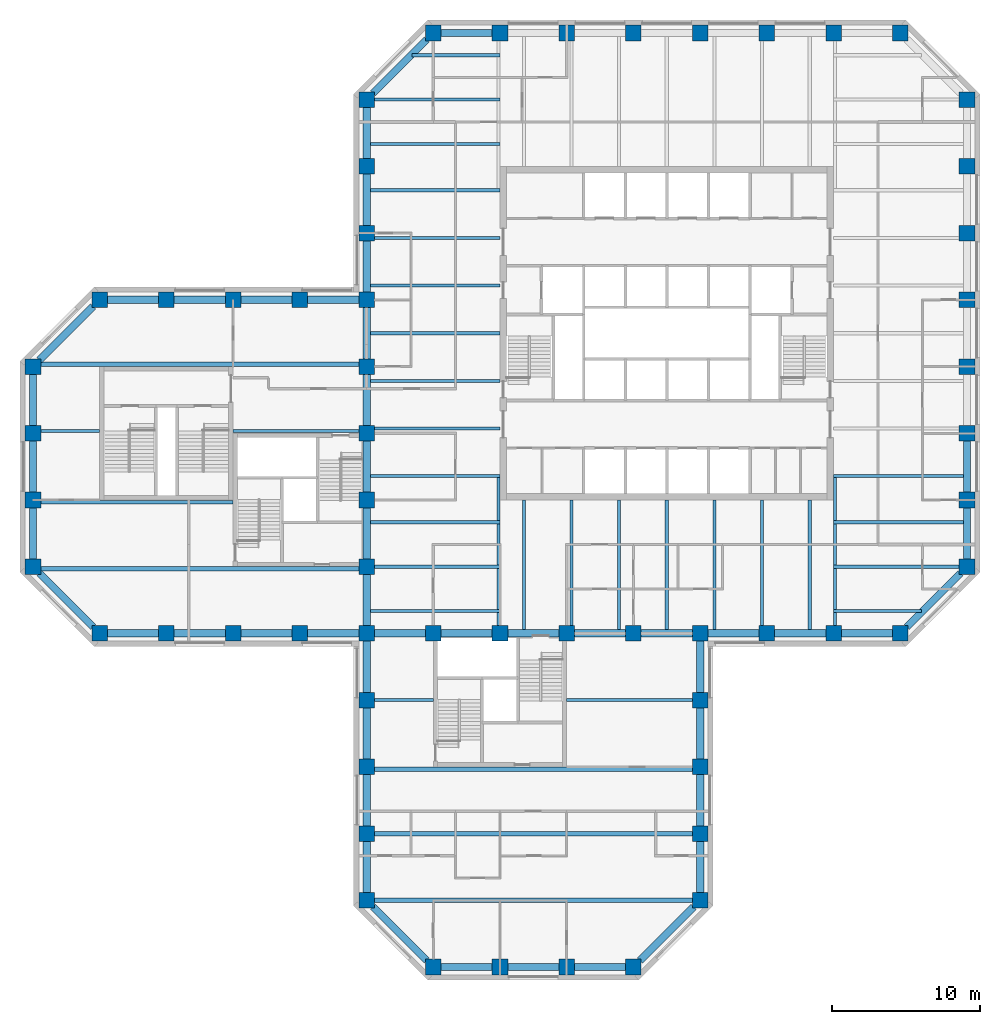
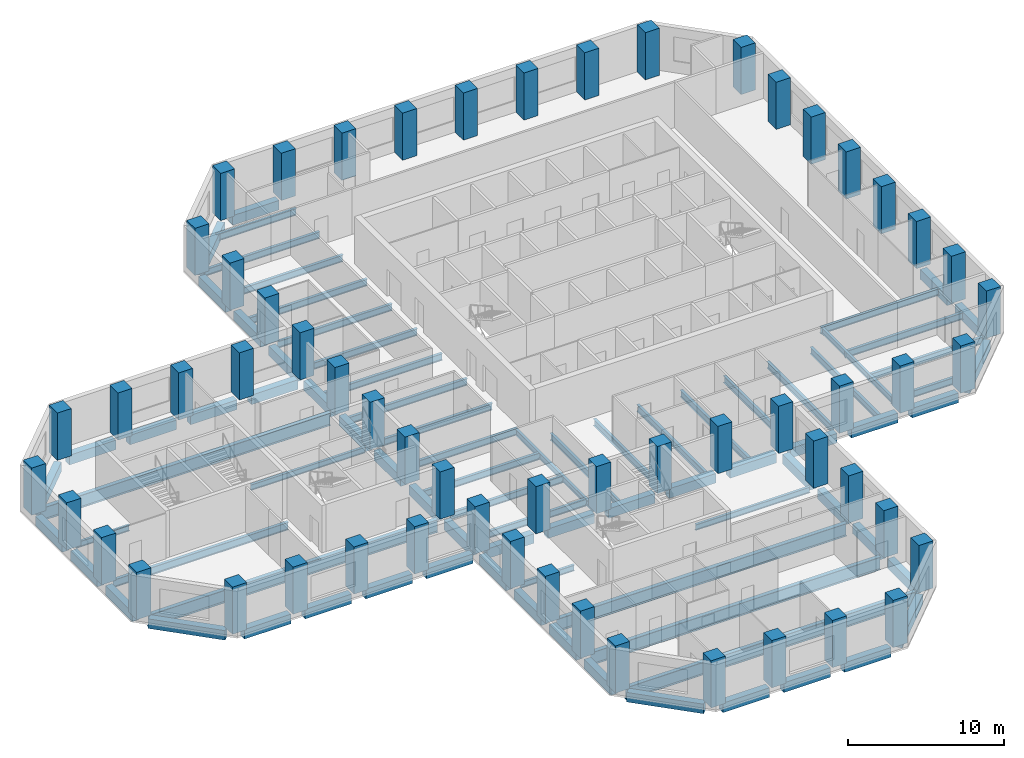
# One storey, part 1 of 10: 83 beams, 57 columns.
"""IFC4 building model written with IfcOpenShell, lengths in metres."""

from ifc_helpers import new_model, si_unit, direction, frame, origin, origin_2d, place, context, subcontext, project, spatial, rectangle, i_section, extrude, material, material_profile, profile_set, type_object, element, save


model = new_model("IFC4")

# Units and contexts
model_context = context("Model", 3, precision=1e-05, world=origin(), true_north=direction((0.0, 1.0)))
body_context = subcontext(model_context, "Body", "Model", "MODEL_VIEW")
ifc_project = project(units=[si_unit("LENGTHUNIT", "METRE"), si_unit("AREAUNIT", "SQUARE_METRE"), si_unit("VOLUMEUNIT", "CUBIC_METRE"), si_unit("PLANEANGLEUNIT", "RADIAN"), si_unit("MASSUNIT", "GRAM", prefix="KILO")], contexts=[model_context])

# Site, building, storey
site_placement = place(None, origin())
site = spatial("IfcSite", under=ifc_project, at=site_placement, CompositionType="ELEMENT")
building_placement = place(site_placement, origin())
building = spatial("IfcBuilding", under=site, at=building_placement, Name="Quoin Convention Tower", CompositionType="ELEMENT")
storey_placement = place(building_placement, frame((0.0, 0.0, 86.300048828125)))
storey = spatial("IfcBuildingStorey", under=building, at=storey_placement, Name="L22", CompositionType="ELEMENT", Elevation=86.300048828125)

# Columns
ifc_material_1 = material(Name="Concrete C65", Category="concrete")
ifc_material_profile_1 = material_profile(ifc_material_1, rectangle(XDim=1.050048828125, YDim=1.050048828125, at=origin_2d()), Name="RC 1050x1050")
ifc_profile_set_1 = profile_set([ifc_material_profile_1], Name="Concrete C65")
column_type = type_object("IfcColumnType", Name="RC 1050x1050 C65", PredefinedType="COLUMN", material=ifc_profile_set_1)
for number, where, z_axis, x_axis, name in (
    (1, (40.5, 18.0, 0.0), (0.0, 0.0, 1.0), (1.0, 0.0, 0.0), "col-L22-40500_18000"),
    (2, (45.0, 18.0, 0.0), (0.0, 0.0, 1.0), (1.0, 0.0, 0.0), "col-L22-45000_18000"),
    (3, (49.5, 18.0, 0.0), (0.0, 0.0, 1.0), (1.0, 0.0, 0.0), "col-L22-49500_18000"),
    (4, (54.0, 18.0, 0.0), (0.0, 0.0, 1.0), (1.0, 0.0, 0.0), "col-L22-54000_18000"),
    (5, (36.0, 22.5, 0.0), (0.0, 0.0, 1.0), (1.0, 0.0, 0.0), "col-L22-36000_22500"),
    (6, (58.5, 22.5, 0.0), (0.0, 0.0, 1.0), (1.0, 0.0, 0.0), "col-L22-58500_22500"),
    (7, (36.0, 27.0, 0.0), (0.0, 0.0, 1.0), (1.0, 0.0, 0.0), "col-L22-36000_27000"),
    (8, (58.5, 27.0, 0.0), (0.0, 0.0, 1.0), (1.0, 0.0, 0.0), "col-L22-58500_27000"),
    (9, (36.0, 31.5, 0.0), (0.0, 0.0, 1.0), (1.0, 0.0, 0.0), "col-L22-36000_31500"),
    (10, (58.5, 31.5, 0.0), (0.0, 0.0, 1.0), (1.0, 0.0, 0.0), "col-L22-58500_31500"),
    (11, (36.0, 36.0, 0.0), (0.0, 0.0, 1.0), (1.0, 0.0, 0.0), "col-L22-36000_36000"),
    (12, (58.5, 36.0, 0.0), (0.0, 0.0, 1.0), (1.0, 0.0, 0.0), "col-L22-58500_36000"),
    (13, (18.0, 40.5, 0.0), (0.0, 0.0, 1.0), (1.0, 0.0, 0.0), "col-L22-18000_40500"),
    (14, (22.5, 40.5, 0.0), (0.0, 0.0, 1.0), (1.0, 0.0, 0.0), "col-L22-22500_40500"),
    (15, (27.0, 40.5, 0.0), (0.0, 0.0, 1.0), (1.0, 0.0, 0.0), "col-L22-27000_40500"),
    (16, (31.5, 40.5, 0.0), (0.0, 0.0, 1.0), (1.0, 0.0, 0.0), "col-L22-31500_40500"),
    (17, (36.0, 40.5, 0.0), (0.0, 0.0, 1.0), (1.0, 0.0, 0.0), "col-L22-36000_40500"),
    (18, (40.5, 40.5, 0.0), (0.0, 0.0, 1.0), (1.0, 0.0, 0.0), "web-L22-40500_40500"),
    (19, (45.0, 40.5, 0.0), (0.0, 0.0, 1.0), (1.0, 0.0, 0.0), "web-L22-45000_40500"),
    (20, (49.5, 40.5, 0.0), (0.0, 0.0, 1.0), (1.0, 0.0, 0.0), "web-L22-49500_40500"),
    (21, (54.0, 40.5, 0.0), (0.0, 0.0, 1.0), (1.0, 0.0, 0.0), "web-L22-54000_40500"),
    (22, (58.5, 40.5, 0.0), (0.0, 0.0, 1.0), (1.0, 0.0, 0.0), "col-L22-58500_40500"),
    (23, (63.0, 40.5, 0.0), (0.0, 0.0, 1.0), (1.0, 0.0, 0.0), "col-L22-63000_40500"),
    (24, (67.5, 40.5, 0.0), (0.0, 0.0, 1.0), (1.0, 0.0, 0.0), "col-L22-67500_40500"),
    (25, (72.0, 40.5, 0.0), (0.0, 0.0, 1.0), (1.0, 0.0, 0.0), "col-L22-72000_40500"),
    (26, (13.5, 45.0, 0.0), (0.0, 0.0, 1.0), (1.0, 0.0, 0.0), "col-L22-13500_45000"),
    (27, (36.0, 45.0, 0.0), (0.0, 0.0, 1.0), (1.0, 0.0, 0.0), "web-L22-36000_45000"),
    (28, (76.5, 45.0, 0.0), (0.0, 0.0, 1.0), (1.0, 0.0, 0.0), "col-L22-76500_45000"),
    (29, (13.5, 49.5, 0.0), (0.0, 0.0, 1.0), (1.0, 0.0, 0.0), "col-L22-13500_49500"),
    (30, (36.0, 49.5, 0.0), (0.0, 0.0, 1.0), (1.0, 0.0, 0.0), "web-L22-36000_49500"),
    (31, (76.5, 49.5, 0.0), (0.0, 0.0, 1.0), (1.0, 0.0, 0.0), "col-L22-76500_49500"),
    (32, (13.5, 54.0, 0.0), (0.0, 0.0, 1.0), (1.0, 0.0, 0.0), "col-L22-13500_54000"),
    (33, (36.0, 54.0, 0.0), (0.0, 0.0, 1.0), (1.0, 0.0, 0.0), "web-L22-36000_54000"),
    (34, (76.5, 54.0, 0.0), (0.0, 0.0, 1.0), (1.0, 0.0, 0.0), "col-L22-76500_54000"),
    (35, (13.5, 58.5, 0.0), (0.0, 0.0, 1.0), (1.0, 0.0, 0.0), "col-L22-13500_58500"),
    (36, (36.0, 58.5, 0.0), (0.0, 0.0, 1.0), (1.0, 0.0, 0.0), "web-L22-36000_58500"),
    (37, (76.5, 58.5, 0.0), (0.0, 0.0, 1.0), (1.0, 0.0, 0.0), "col-L22-76500_58500"),
    (38, (18.0, 63.0, 0.0), (0.0, 0.0, 1.0), (1.0, 0.0, 0.0), "col-L22-18000_63000"),
    (39, (22.5, 63.0, 0.0), (0.0, 0.0, 1.0), (1.0, 0.0, 0.0), "col-L22-22500_63000"),
    (40, (27.0, 63.0, 0.0), (0.0, 0.0, 1.0), (1.0, 0.0, 0.0), "col-L22-27000_63000"),
    (41, (31.5, 63.0, 0.0), (0.0, 0.0, 1.0), (1.0, 0.0, 0.0), "col-L22-31500_63000"),
    (42, (36.0, 63.0, 0.0), (0.0, 0.0, 1.0), (1.0, 0.0, 0.0), "col-L22-36000_63000"),
    (43, (76.5, 63.0, 0.0), (0.0, 0.0, 1.0), (1.0, 0.0, 0.0), "col-L22-76500_63000"),
    (44, (36.0, 67.5, 0.0), (0.0, 0.0, 1.0), (1.0, 0.0, 0.0), "col-L22-36000_67500"),
    (45, (76.5, 67.5, 0.0), (0.0, 0.0, 1.0), (1.0, 0.0, 0.0), "col-L22-76500_67500"),
    (46, (36.0, 72.0, 0.0), (0.0, 0.0, 1.0), (1.0, 0.0, 0.0), "col-L22-36000_72000"),
    (47, (76.5, 72.0, 0.0), (0.0, 0.0, 1.0), (1.0, 0.0, 0.0), "col-L22-76500_72000"),
    (48, (36.0, 76.5, 0.0), (0.0, 0.0, 1.0), (1.0, 0.0, 0.0), "col-L22-36000_76500"),
    (49, (76.5, 76.5, 0.0), (0.0, 0.0, 1.0), (1.0, 0.0, 0.0), "col-L22-76500_76500"),
    (50, (40.5, 81.0, 0.0), (0.0, 0.0, 1.0), (1.0, 0.0, 0.0), "col-L22-40500_81000"),
    (51, (45.0, 81.0, 0.0), (0.0, 0.0, 1.0), (1.0, 0.0, 0.0), "col-L22-45000_81000"),
    (52, (49.5, 81.0, 0.0), (0.0, 0.0, 1.0), (1.0, 0.0, 0.0), "col-L22-49500_81000"),
    (53, (54.0, 81.0, 0.0), (0.0, 0.0, 1.0), (1.0, 0.0, 0.0), "col-L22-54000_81000"),
    (54, (58.5, 81.0, 0.0), (0.0, 0.0, 1.0), (1.0, 0.0, 0.0), "col-L22-58500_81000"),
    (55, (63.0, 81.0, 0.0), (0.0, 0.0, 1.0), (1.0, 0.0, 0.0), "col-L22-63000_81000"),
    (56, (67.5, 81.0, 0.0), (0.0, 0.0, 1.0), (1.0, 0.0, 0.0), "col-L22-67500_81000"),
    (57, (72.0, 81.0, 0.0), (0.0, 0.0, 1.0), (1.0, 0.0, 0.0), "col-L22-72000_81000"),
):
    element("IfcColumn", number, at=place(storey_placement, frame(where, z_axis=z_axis, x_axis=x_axis)), inside=storey, type_object=column_type, Name=name, PredefinedType="COLUMN", context=body_context, shape_type="SweptSolid", body=[
        extrude(rectangle(XDim=1.050048828125, YDim=1.050048828125, at=origin_2d()), origin(), (0.0, 0.0, 1.0), 3.699951171875),
    ])

# Beams
ifc_material_2 = material(Name="Steel Grade 300", Category="steel")
ifc_material_profile_2 = material_profile(ifc_material_2, i_section(OverallWidth=0.300048828125, OverallDepth=1.0, WebThickness=0.01611328125, FlangeThickness=0.02001953125, at=origin_2d()), Name="1000WB215")
ifc_profile_set_2 = profile_set([ifc_material_profile_2], Name="Steel Grade 300")
beam_type_1 = type_object("IfcBeamType", Name="1000WB215", PredefinedType="BEAM", material=ifc_profile_set_2)
for number, where, z_axis, x_axis, name in (
    (58, (36.52490234375, 22.5, -0.650146484375), (1.0, 0.0, 0.0), (0.0, 1.0, 0.0), "gir-L22-ST3-1-0"),
    (59, (36.52490234375, 27.0, -0.650146484375), (1.0, 0.0, 0.0), (0.0, 1.0, 0.0), "gir-L22-ST3-2-0"),
    (60, (36.52490234375, 31.35009765625, -0.650146484375), (1.0, 0.0, 0.0), (0.0, 1.0, 0.0), "gir-L22-ST3-3-0"),
    (61, (14.02490234375, 44.85009765625, -0.650146484375), (1.0, 0.0, 0.0), (0.0, 1.0, 0.0), "gir-L22-ST2-1-0"),
    (62, (14.02490234375, 58.64990234375, -0.650146484375), (1.0, 0.0, 0.0), (0.0, 1.0, 0.0), "gir-L22-ST2-4-0"),
):
    element("IfcBeam", number, at=place(storey_placement, frame(where, z_axis=z_axis, x_axis=x_axis)), inside=storey, type_object=beam_type_1, Name=name, PredefinedType="BEAM", context=body_context, shape_type="SweptSolid", body=[
        extrude(i_section(OverallWidth=0.300048828125, OverallDepth=1.0, WebThickness=0.01611328125, FlangeThickness=0.02001953125, at=origin_2d()), origin(), (0.0, 0.0, 1.0), 21.4501953125),
    ])
ifc_material_profile_3 = material_profile(ifc_material_2, i_section(OverallWidth=0.18994140625, OverallDepth=0.4541015625, WebThickness=0.008544921875, FlangeThickness=0.0126953125, FilletRadius=0.011474609375, at=origin_2d()), Name="460UB67.1")
ifc_profile_set_3 = profile_set([ifc_material_profile_3], Name="Steel Grade 300")
beam_type_2 = type_object("IfcBeamType", Name="460UB67.1", PredefinedType="BEAM", material=ifc_profile_set_3)
for number, where, z_axis, x_axis, name in (
    (63, (44.8955078125, 41.02490234375, -0.376953125), (0.0, 1.0, 0.0), (-1.0, 0.0, 0.0), "gir-L22-T1SW"),
    (64, (67.6044921875, 41.02490234375, -0.376953125), (0.0, 1.0, 0.0), (-1.0, 0.0, 0.0), "gir-L22-T1SE"),
):
    element("IfcBeam", number, at=place(storey_placement, frame(where, z_axis=z_axis, x_axis=x_axis)), inside=storey, type_object=beam_type_2, Name=name, PredefinedType="BEAM", context=body_context, shape_type="SweptSolid", body=[
        extrude(i_section(OverallWidth=0.18994140625, OverallDepth=0.4541015625, WebThickness=0.008544921875, FlangeThickness=0.0126953125, FilletRadius=0.011474609375, at=origin_2d()), origin(), (0.0, 0.0, 1.0), 9.977783203125),
    ])
beam_1_placement = place(storey_placement, frame((36.52490234375, 36.0, -0.376953125), z_axis=(1.0, 0.0, 0.0), x_axis=(0.0, 1.0, 0.0)))
element("IfcBeam", 65, at=beam_1_placement, inside=storey, type_object=beam_type_2, Name="gir-L22-ST3-4-0", PredefinedType="BEAM", context=body_context, shape_type="SweptSolid", body=[
    extrude(i_section(OverallWidth=0.18994140625, OverallDepth=0.4541015625, WebThickness=0.008544921875, FlangeThickness=0.0126953125, FilletRadius=0.011474609375, at=origin_2d()), origin(), (0.0, 0.0, 1.0), 3.97509765625),
])
beam_2_placement = place(storey_placement, frame((49.5, 36.0, -0.376953125), z_axis=(1.0, 0.0, 0.0), x_axis=(0.0, 1.0, 0.0)))
element("IfcBeam", 66, at=beam_2_placement, inside=storey, type_object=beam_type_2, Name="gir-L22-ST3-4-1", PredefinedType="BEAM", context=body_context, shape_type="SweptSolid", body=[
    extrude(i_section(OverallWidth=0.18994140625, OverallDepth=0.4541015625, WebThickness=0.008544921875, FlangeThickness=0.0126953125, FilletRadius=0.011474609375, at=origin_2d()), origin(), (0.0, 0.0, 1.0), 8.47509765625),
])
beam_3_placement = place(storey_placement, frame((14.02490234375, 54.14990234375, -0.376953125), z_axis=(1.0, 0.0, 0.0), x_axis=(0.0, 1.0, 0.0)))
element("IfcBeam", 67, at=beam_3_placement, inside=storey, type_object=beam_type_2, Name="gir-L22-ST2-3-0", PredefinedType="BEAM", context=body_context, shape_type="SweptSolid", body=[
    extrude(i_section(OverallWidth=0.18994140625, OverallDepth=0.4541015625, WebThickness=0.008544921875, FlangeThickness=0.0126953125, FilletRadius=0.011474609375, at=origin_2d()), origin(), (0.0, 0.0, 1.0), 3.97509765625),
])
beam_4_placement = place(storey_placement, frame((27.0, 54.14990234375, -0.376953125), z_axis=(1.0, 0.0, 0.0), x_axis=(0.0, 1.0, 0.0)))
element("IfcBeam", 68, at=beam_4_placement, inside=storey, type_object=beam_type_2, Name="gir-L22-ST2-3-1", PredefinedType="BEAM", context=body_context, shape_type="SweptSolid", body=[
    extrude(i_section(OverallWidth=0.18994140625, OverallDepth=0.4541015625, WebThickness=0.008544921875, FlangeThickness=0.0126953125, FilletRadius=0.011474609375, at=origin_2d()), origin(), (0.0, 0.0, 1.0), 8.47509765625),
])
ifc_material_profile_4 = material_profile(ifc_material_2, i_section(OverallWidth=0.208984375, OverallDepth=0.528076171875, WebThickness=0.009521484375, FlangeThickness=0.01318359375, FilletRadius=0.013916015625, at=origin_2d()), Name="530UB82.0")
ifc_profile_set_4 = profile_set([ifc_material_profile_4], Name="Steel Grade 300")
beam_type_3 = type_object("IfcBeamType", Name="530UB82.0", PredefinedType="BEAM", material=ifc_profile_set_4)
beam_5_placement = place(storey_placement, frame((36.25, 51.107177734375, -0.4140625), z_axis=(1.0, 0.0, 0.0), x_axis=(0.0, 1.0, 0.0)))
element("IfcBeam", 69, at=beam_5_placement, inside=storey, type_object=beam_type_3, Name="bm-L22-T1W0", PredefinedType="BEAM", context=body_context, shape_type="SweptSolid", body=[
    extrude(i_section(OverallWidth=0.208984375, OverallDepth=0.528076171875, WebThickness=0.009521484375, FlangeThickness=0.01318359375, FilletRadius=0.013916015625, at=origin_2d()), origin(), (0.0, 0.0, 1.0), 8.75),
])
beam_6_placement = place(storey_placement, frame((36.52490234375, 54.3212890625, -0.4140625), z_axis=(1.0, 0.0, 0.0), x_axis=(0.0, 1.0, 0.0)))
element("IfcBeam", 70, at=beam_6_placement, inside=storey, type_object=beam_type_3, Name="bm-L22-T1W1", PredefinedType="BEAM", context=body_context, shape_type="SweptSolid", body=[
    extrude(i_section(OverallWidth=0.208984375, OverallDepth=0.528076171875, WebThickness=0.009521484375, FlangeThickness=0.01318359375, FilletRadius=0.013916015625, at=origin_2d()), origin(), (0.0, 0.0, 1.0), 8.47509765625),
])
for number, where, z_axis, x_axis, name in (
    (71, (36.25, 57.53564453125, -0.4140625), (1.0, 0.0, 0.0), (0.0, 1.0, 0.0), "bm-L22-T1W2"),
    (72, (36.25, 60.75, -0.4140625), (1.0, 0.0, 0.0), (0.0, 1.0, 0.0), "bm-L22-T1W3"),
    (73, (36.25, 63.96435546875, -0.4140625), (1.0, 0.0, 0.0), (0.0, 1.0, 0.0), "bm-L22-T1W4"),
):
    element("IfcBeam", number, at=place(storey_placement, frame(where, z_axis=z_axis, x_axis=x_axis)), inside=storey, type_object=beam_type_3, Name=name, PredefinedType="BEAM", context=body_context, shape_type="SweptSolid", body=[
        extrude(i_section(OverallWidth=0.208984375, OverallDepth=0.528076171875, WebThickness=0.009521484375, FlangeThickness=0.01318359375, FilletRadius=0.013916015625, at=origin_2d()), origin(), (0.0, 0.0, 1.0), 8.75),
    ])
beam_7_placement = place(storey_placement, frame((36.52490234375, 67.1787109375, -0.4140625), z_axis=(1.0, 0.0, 0.0), x_axis=(0.0, 1.0, 0.0)))
element("IfcBeam", 74, at=beam_7_placement, inside=storey, type_object=beam_type_3, Name="bm-L22-T1W5", PredefinedType="BEAM", context=body_context, shape_type="SweptSolid", body=[
    extrude(i_section(OverallWidth=0.208984375, OverallDepth=0.528076171875, WebThickness=0.009521484375, FlangeThickness=0.01318359375, FilletRadius=0.013916015625, at=origin_2d()), origin(), (0.0, 0.0, 1.0), 8.47509765625),
])
for number, where, z_axis, x_axis, name in (
    (75, (36.25, 70.392822265625, -0.4140625), (1.0, 0.0, 0.0), (0.0, 1.0, 0.0), "bm-L22-T1W6"),
    (76, (67.5, 51.107177734375, -0.4140625), (1.0, 0.0, 0.0), (0.0, 1.0, 0.0), "bm-L22-T1E0"),
    (77, (46.607177734375, 40.75, -0.4140625), (0.0, 1.0, 0.0), (-1.0, 0.0, 0.0), "bm-L22-T1S0"),
):
    element("IfcBeam", number, at=place(storey_placement, frame(where, z_axis=z_axis, x_axis=x_axis)), inside=storey, type_object=beam_type_3, Name=name, PredefinedType="BEAM", context=body_context, shape_type="SweptSolid", body=[
        extrude(i_section(OverallWidth=0.208984375, OverallDepth=0.528076171875, WebThickness=0.009521484375, FlangeThickness=0.01318359375, FilletRadius=0.013916015625, at=origin_2d()), origin(), (0.0, 0.0, 1.0), 8.75),
    ])
beam_8_placement = place(storey_placement, frame((49.8212890625, 41.02490234375, -0.4140625), z_axis=(0.0, 1.0, 0.0), x_axis=(-1.0, 0.0, 0.0)))
element("IfcBeam", 78, at=beam_8_placement, inside=storey, type_object=beam_type_3, Name="bm-L22-T1S1", PredefinedType="BEAM", context=body_context, shape_type="SweptSolid", body=[
    extrude(i_section(OverallWidth=0.208984375, OverallDepth=0.528076171875, WebThickness=0.009521484375, FlangeThickness=0.01318359375, FilletRadius=0.013916015625, at=origin_2d()), origin(), (0.0, 0.0, 1.0), 8.47509765625),
])
for number, where, z_axis, x_axis, name in (
    (79, (53.03564453125, 40.75, -0.4140625), (0.0, 1.0, 0.0), (-1.0, 0.0, 0.0), "bm-L22-T1S2"),
    (80, (56.25, 40.75, -0.4140625), (0.0, 1.0, 0.0), (-1.0, 0.0, 0.0), "bm-L22-T1S3"),
    (81, (59.46435546875, 40.75, -0.4140625), (0.0, 1.0, 0.0), (-1.0, 0.0, 0.0), "bm-L22-T1S4"),
):
    element("IfcBeam", number, at=place(storey_placement, frame(where, z_axis=z_axis, x_axis=x_axis)), inside=storey, type_object=beam_type_3, Name=name, PredefinedType="BEAM", context=body_context, shape_type="SweptSolid", body=[
        extrude(i_section(OverallWidth=0.208984375, OverallDepth=0.528076171875, WebThickness=0.009521484375, FlangeThickness=0.01318359375, FilletRadius=0.013916015625, at=origin_2d()), origin(), (0.0, 0.0, 1.0), 8.75),
    ])
beam_9_placement = place(storey_placement, frame((62.6787109375, 41.02490234375, -0.4140625), z_axis=(0.0, 1.0, 0.0), x_axis=(-1.0, 0.0, 0.0)))
element("IfcBeam", 82, at=beam_9_placement, inside=storey, type_object=beam_type_3, Name="bm-L22-T1S5", PredefinedType="BEAM", context=body_context, shape_type="SweptSolid", body=[
    extrude(i_section(OverallWidth=0.208984375, OverallDepth=0.528076171875, WebThickness=0.009521484375, FlangeThickness=0.01318359375, FilletRadius=0.013916015625, at=origin_2d()), origin(), (0.0, 0.0, 1.0), 8.47509765625),
])
for number, where, z_axis, x_axis, name in (
    (83, (65.892822265625, 40.75, -0.4140625), (0.0, 1.0, 0.0), (-1.0, 0.0, 0.0), "bm-L22-T1S6"),
    (84, (36.25, 42.0, -0.4140625), (1.0, 0.0, 0.0), (0.0, 1.0, 0.0), "bm-L22-T1SW0"),
):
    element("IfcBeam", number, at=place(storey_placement, frame(where, z_axis=z_axis, x_axis=x_axis)), inside=storey, type_object=beam_type_3, Name=name, PredefinedType="BEAM", context=body_context, shape_type="SweptSolid", body=[
        extrude(i_section(OverallWidth=0.208984375, OverallDepth=0.528076171875, WebThickness=0.009521484375, FlangeThickness=0.01318359375, FilletRadius=0.013916015625, at=origin_2d()), origin(), (0.0, 0.0, 1.0), 8.75),
    ])
beam_10_placement = place(storey_placement, frame((36.52490234375, 45.0, -0.4140625), z_axis=(1.0, 0.0, 0.0), x_axis=(0.0, 1.0, 0.0)))
element("IfcBeam", 85, at=beam_10_placement, inside=storey, type_object=beam_type_3, Name="bm-L22-T1SW1", PredefinedType="BEAM", context=body_context, shape_type="SweptSolid", body=[
    extrude(i_section(OverallWidth=0.208984375, OverallDepth=0.528076171875, WebThickness=0.009521484375, FlangeThickness=0.01318359375, FilletRadius=0.013916015625, at=origin_2d()), origin(), (0.0, 0.0, 1.0), 8.47509765625),
])
beam_11_placement = place(storey_placement, frame((36.25, 48.0, -0.4140625), z_axis=(1.0, 0.0, 0.0), x_axis=(0.0, 1.0, 0.0)))
element("IfcBeam", 86, at=beam_11_placement, inside=storey, type_object=beam_type_3, Name="bm-L22-T1SW2", PredefinedType="BEAM", context=body_context, shape_type="SweptSolid", body=[
    extrude(i_section(OverallWidth=0.208984375, OverallDepth=0.528076171875, WebThickness=0.009521484375, FlangeThickness=0.01318359375, FilletRadius=0.013916015625, at=origin_2d()), origin(), (0.0, 0.0, 1.0), 8.75),
])
beam_12_placement = place(storey_placement, frame((67.5, 42.0, -0.4140625), z_axis=(1.0, 0.0, 0.0), x_axis=(0.0, 1.0, 0.0)))
element("IfcBeam", 87, at=beam_12_placement, inside=storey, type_object=beam_type_3, Name="bm-L22-T1SE0", PredefinedType="BEAM", context=body_context, shape_type="SweptSolid", body=[
    extrude(i_section(OverallWidth=0.208984375, OverallDepth=0.528076171875, WebThickness=0.009521484375, FlangeThickness=0.01318359375, FilletRadius=0.013916015625, at=origin_2d()), origin(), (0.0, 0.0, 1.0), 5.927734375),
])
beam_13_placement = place(storey_placement, frame((67.5, 45.0, -0.4140625), z_axis=(1.0, 0.0, 0.0), x_axis=(0.0, 1.0, 0.0)))
element("IfcBeam", 88, at=beam_13_placement, inside=storey, type_object=beam_type_3, Name="bm-L22-T1SE1", PredefinedType="BEAM", context=body_context, shape_type="SweptSolid", body=[
    extrude(i_section(OverallWidth=0.208984375, OverallDepth=0.528076171875, WebThickness=0.009521484375, FlangeThickness=0.01318359375, FilletRadius=0.013916015625, at=origin_2d()), origin(), (0.0, 0.0, 1.0), 8.47509765625),
])
beam_14_placement = place(storey_placement, frame((67.5, 48.0, -0.4140625), z_axis=(1.0, 0.0, 0.0), x_axis=(0.0, 1.0, 0.0)))
element("IfcBeam", 89, at=beam_14_placement, inside=storey, type_object=beam_type_3, Name="bm-L22-T1SE2", PredefinedType="BEAM", context=body_context, shape_type="SweptSolid", body=[
    extrude(i_section(OverallWidth=0.208984375, OverallDepth=0.528076171875, WebThickness=0.009521484375, FlangeThickness=0.01318359375, FilletRadius=0.013916015625, at=origin_2d()), origin(), (0.0, 0.0, 1.0), 8.75),
])
beam_15_placement = place(storey_placement, frame((39.072265625, 79.5, -0.4140625), z_axis=(1.0, 0.0, 0.0), x_axis=(0.0, 1.0, 0.0)))
element("IfcBeam", 90, at=beam_15_placement, inside=storey, type_object=beam_type_3, Name="bm-L22-T1NW0", PredefinedType="BEAM", context=body_context, shape_type="SweptSolid", body=[
    extrude(i_section(OverallWidth=0.208984375, OverallDepth=0.528076171875, WebThickness=0.009521484375, FlangeThickness=0.01318359375, FilletRadius=0.013916015625, at=origin_2d()), origin(), (0.0, 0.0, 1.0), 5.927734375),
])
beam_16_placement = place(storey_placement, frame((36.52490234375, 76.5, -0.4140625), z_axis=(1.0, 0.0, 0.0), x_axis=(0.0, 1.0, 0.0)))
element("IfcBeam", 91, at=beam_16_placement, inside=storey, type_object=beam_type_3, Name="bm-L22-T1NW1", PredefinedType="BEAM", context=body_context, shape_type="SweptSolid", body=[
    extrude(i_section(OverallWidth=0.208984375, OverallDepth=0.528076171875, WebThickness=0.009521484375, FlangeThickness=0.01318359375, FilletRadius=0.013916015625, at=origin_2d()), origin(), (0.0, 0.0, 1.0), 8.47509765625),
])
beam_17_placement = place(storey_placement, frame((36.25, 73.5, -0.4140625), z_axis=(1.0, 0.0, 0.0), x_axis=(0.0, 1.0, 0.0)))
element("IfcBeam", 92, at=beam_17_placement, inside=storey, type_object=beam_type_3, Name="bm-L22-T1NW2", PredefinedType="BEAM", context=body_context, shape_type="SweptSolid", body=[
    extrude(i_section(OverallWidth=0.208984375, OverallDepth=0.528076171875, WebThickness=0.009521484375, FlangeThickness=0.01318359375, FilletRadius=0.013916015625, at=origin_2d()), origin(), (0.0, 0.0, 1.0), 8.75),
])
ifc_material_profile_5 = material_profile(ifc_material_2, i_section(OverallWidth=0.22802734375, OverallDepth=0.60205078125, WebThickness=0.010498046875, FlangeThickness=0.014892578125, FilletRadius=0.013916015625, at=origin_2d()), Name="610UB101")
ifc_profile_set_5 = profile_set([ifc_material_profile_5], Name="Steel Grade 300")
beam_type_4 = type_object("IfcBeamType", Name="610UB101", PredefinedType="BEAM", material=ifc_profile_set_5)
beam_18_placement = place(storey_placement, frame((14.02490234375, 49.35009765625, -0.450927734375), z_axis=(1.0, 0.0, 0.0), x_axis=(0.0, 1.0, 0.0)))
element("IfcBeam", 93, at=beam_18_placement, inside=storey, type_object=beam_type_4, Name="gir-L22-ST2-2-0", PredefinedType="BEAM", context=body_context, shape_type="SweptSolid", body=[
    extrude(i_section(OverallWidth=0.22802734375, OverallDepth=0.60205078125, WebThickness=0.010498046875, FlangeThickness=0.014892578125, FilletRadius=0.013916015625, at=origin_2d()), origin(), (0.0, 0.0, 1.0), 12.97509765625),
])
ifc_material_profile_6 = material_profile(ifc_material_1, rectangle(XDim=0.5, YDim=0.75, at=origin_2d()), Name="RC 500x750")
ifc_profile_set_6 = profile_set([ifc_material_profile_6], Name="Concrete C65")
beam_type_5 = type_object("IfcBeamType", Name="RC 500x750 C65", PredefinedType="SPANDREL", material=ifc_profile_set_6)
for number, where, z_axis, x_axis, name in (
    (94, (59.02490234375, 40.5, -0.525146484375), (1.0, 0.0, 0.0), (0.0, 1.0, 0.0), "spd-L22-58500_40500-63000_40500"),
    (95, (63.52490234375, 40.5, -0.525146484375), (1.0, 0.0, 0.0), (0.0, 1.0, 0.0), "spd-L22-63000_40500-67500_40500"),
    (96, (68.02490234375, 40.5, -0.525146484375), (1.0, 0.0, 0.0), (0.0, 1.0, 0.0), "spd-L22-67500_40500-72000_40500"),
):
    element("IfcBeam", number, at=place(storey_placement, frame(where, z_axis=z_axis, x_axis=x_axis)), inside=storey, type_object=beam_type_5, Name=name, PredefinedType="SPANDREL", context=body_context, shape_type="SweptSolid", body=[
        extrude(rectangle(XDim=0.5, YDim=0.75, at=origin_2d()), origin(), (0.0, 0.0, 1.0), 3.4501953125),
    ])
beam_19_placement = place(storey_placement, frame((72.440185546875, 40.940185546875, -0.525146484375), z_axis=(0.707106781187, 0.707106781187, 0.0), x_axis=(-0.707106781187, 0.707106781187, 0.0)))
element("IfcBeam", 97, at=beam_19_placement, inside=storey, type_object=beam_type_5, Name="spd-L22-72000_40500-76500_45000", PredefinedType="SPANDREL", context=body_context, shape_type="SweptSolid", body=[
    extrude(rectangle(XDim=0.5, YDim=0.75, at=origin_2d()), origin(), (0.0, 0.0, 1.0), 5.118896484375),
])
for number, where, z_axis, x_axis, name in (
    (98, (76.5, 45.52490234375, -0.525146484375), (0.0, 1.0, 0.0), (-1.0, 0.0, 0.0), "spd-L22-76500_45000-76500_49500"),
    (99, (76.5, 50.02490234375, -0.525146484375), (0.0, 1.0, 0.0), (-1.0, 0.0, 0.0), "spd-L22-76500_49500-76500_54000"),
    (100, (44.47509765625, 81.0, -0.525146484375), (-1.0, 0.0, 0.0), (0.0, -1.0, 0.0), "spd-L22-45000_81000-40500_81000"),
):
    element("IfcBeam", number, at=place(storey_placement, frame(where, z_axis=z_axis, x_axis=x_axis)), inside=storey, type_object=beam_type_5, Name=name, PredefinedType="SPANDREL", context=body_context, shape_type="SweptSolid", body=[
        extrude(rectangle(XDim=0.5, YDim=0.75, at=origin_2d()), origin(), (0.0, 0.0, 1.0), 3.4501953125),
    ])
beam_20_placement = place(storey_placement, frame((40.059814453125, 80.559814453125, -0.525146484375), z_axis=(-0.707106781187, -0.707106781187, 0.0), x_axis=(0.707106781187, -0.707106781187, 0.0)))
element("IfcBeam", 101, at=beam_20_placement, inside=storey, type_object=beam_type_5, Name="spd-L22-40500_81000-36000_76500", PredefinedType="SPANDREL", context=body_context, shape_type="SweptSolid", body=[
    extrude(rectangle(XDim=0.5, YDim=0.75, at=origin_2d()), origin(), (0.0, 0.0, 1.0), 5.118896484375),
])
for number, where, z_axis, x_axis, name in (
    (102, (36.0, 75.97509765625, -0.525146484375), (0.0, -1.0, 0.0), (1.0, 0.0, 0.0), "spd-L22-36000_76500-36000_72000"),
    (103, (36.0, 71.47509765625, -0.525146484375), (0.0, -1.0, 0.0), (1.0, 0.0, 0.0), "spd-L22-36000_72000-36000_67500"),
    (104, (36.0, 66.97509765625, -0.525146484375), (0.0, -1.0, 0.0), (1.0, 0.0, 0.0), "spd-L22-36000_67500-36000_63000"),
    (105, (35.47509765625, 63.0, -0.525146484375), (-1.0, 0.0, 0.0), (0.0, -1.0, 0.0), "spd-L22-36000_63000-31500_63000"),
    (106, (30.97509765625, 63.0, -0.525146484375), (-1.0, 0.0, 0.0), (0.0, -1.0, 0.0), "spd-L22-31500_63000-27000_63000"),
    (107, (26.47509765625, 63.0, -0.525146484375), (-1.0, 0.0, 0.0), (0.0, -1.0, 0.0), "spd-L22-27000_63000-22500_63000"),
    (108, (21.97509765625, 63.0, -0.525146484375), (-1.0, 0.0, 0.0), (0.0, -1.0, 0.0), "spd-L22-22500_63000-18000_63000"),
):
    element("IfcBeam", number, at=place(storey_placement, frame(where, z_axis=z_axis, x_axis=x_axis)), inside=storey, type_object=beam_type_5, Name=name, PredefinedType="SPANDREL", context=body_context, shape_type="SweptSolid", body=[
        extrude(rectangle(XDim=0.5, YDim=0.75, at=origin_2d()), origin(), (0.0, 0.0, 1.0), 3.4501953125),
    ])
beam_21_placement = place(storey_placement, frame((17.559814453125, 62.559814453125, -0.525146484375), z_axis=(-0.707106781187, -0.707106781187, 0.0), x_axis=(0.707106781187, -0.707106781187, 0.0)))
element("IfcBeam", 109, at=beam_21_placement, inside=storey, type_object=beam_type_5, Name="spd-L22-18000_63000-13500_58500", PredefinedType="SPANDREL", context=body_context, shape_type="SweptSolid", body=[
    extrude(rectangle(XDim=0.5, YDim=0.75, at=origin_2d()), origin(), (0.0, 0.0, 1.0), 5.118896484375),
])
for number, where, z_axis, x_axis, name in (
    (110, (13.5, 57.97509765625, -0.525146484375), (0.0, -1.0, 0.0), (1.0, 0.0, 0.0), "spd-L22-13500_58500-13500_54000"),
    (111, (13.5, 53.47509765625, -0.525146484375), (0.0, -1.0, 0.0), (1.0, 0.0, 0.0), "spd-L22-13500_54000-13500_49500"),
    (112, (13.5, 48.97509765625, -0.525146484375), (0.0, -1.0, 0.0), (1.0, 0.0, 0.0), "spd-L22-13500_49500-13500_45000"),
):
    element("IfcBeam", number, at=place(storey_placement, frame(where, z_axis=z_axis, x_axis=x_axis)), inside=storey, type_object=beam_type_5, Name=name, PredefinedType="SPANDREL", context=body_context, shape_type="SweptSolid", body=[
        extrude(rectangle(XDim=0.5, YDim=0.75, at=origin_2d()), origin(), (0.0, 0.0, 1.0), 3.4501953125),
    ])
beam_22_placement = place(storey_placement, frame((13.940185546875, 44.559814453125, -0.525146484375), z_axis=(0.707106781187, -0.707106781187, 0.0), x_axis=(0.707106781187, 0.707106781187, 0.0)))
element("IfcBeam", 113, at=beam_22_placement, inside=storey, type_object=beam_type_5, Name="spd-L22-13500_45000-18000_40500", PredefinedType="SPANDREL", context=body_context, shape_type="SweptSolid", body=[
    extrude(rectangle(XDim=0.5, YDim=0.75, at=origin_2d()), origin(), (0.0, 0.0, 1.0), 5.118896484375),
])
for number, where, z_axis, x_axis, name in (
    (114, (18.52490234375, 40.5, -0.525146484375), (1.0, 0.0, 0.0), (0.0, 1.0, 0.0), "spd-L22-18000_40500-22500_40500"),
    (115, (23.02490234375, 40.5, -0.525146484375), (1.0, 0.0, 0.0), (0.0, 1.0, 0.0), "spd-L22-22500_40500-27000_40500"),
    (116, (27.52490234375, 40.5, -0.525146484375), (1.0, 0.0, 0.0), (0.0, 1.0, 0.0), "spd-L22-27000_40500-31500_40500"),
    (117, (32.02490234375, 40.5, -0.525146484375), (1.0, 0.0, 0.0), (0.0, 1.0, 0.0), "spd-L22-31500_40500-36000_40500"),
    (118, (36.0, 39.97509765625, -0.525146484375), (0.0, -1.0, 0.0), (1.0, 0.0, 0.0), "spd-L22-36000_40500-36000_36000"),
    (119, (36.0, 35.47509765625, -0.525146484375), (0.0, -1.0, 0.0), (1.0, 0.0, 0.0), "spd-L22-36000_36000-36000_31500"),
    (120, (36.0, 30.97509765625, -0.525146484375), (0.0, -1.0, 0.0), (1.0, 0.0, 0.0), "spd-L22-36000_31500-36000_27000"),
    (121, (36.0, 26.47509765625, -0.525146484375), (0.0, -1.0, 0.0), (1.0, 0.0, 0.0), "spd-L22-36000_27000-36000_22500"),
):
    element("IfcBeam", number, at=place(storey_placement, frame(where, z_axis=z_axis, x_axis=x_axis)), inside=storey, type_object=beam_type_5, Name=name, PredefinedType="SPANDREL", context=body_context, shape_type="SweptSolid", body=[
        extrude(rectangle(XDim=0.5, YDim=0.75, at=origin_2d()), origin(), (0.0, 0.0, 1.0), 3.4501953125),
    ])
beam_23_placement = place(storey_placement, frame((36.440185546875, 22.059814453125, -0.525146484375), z_axis=(0.707106781187, -0.707106781187, 0.0), x_axis=(0.707106781187, 0.707106781187, 0.0)))
element("IfcBeam", 122, at=beam_23_placement, inside=storey, type_object=beam_type_5, Name="spd-L22-36000_22500-40500_18000", PredefinedType="SPANDREL", context=body_context, shape_type="SweptSolid", body=[
    extrude(rectangle(XDim=0.5, YDim=0.75, at=origin_2d()), origin(), (0.0, 0.0, 1.0), 5.118896484375),
])
for number, where, z_axis, x_axis, name in (
    (123, (41.02490234375, 18.0, -0.525146484375), (1.0, 0.0, 0.0), (0.0, 1.0, 0.0), "spd-L22-40500_18000-45000_18000"),
    (124, (45.52490234375, 18.0, -0.525146484375), (1.0, 0.0, 0.0), (0.0, 1.0, 0.0), "spd-L22-45000_18000-49500_18000"),
    (125, (50.02490234375, 18.0, -0.525146484375), (1.0, 0.0, 0.0), (0.0, 1.0, 0.0), "spd-L22-49500_18000-54000_18000"),
):
    element("IfcBeam", number, at=place(storey_placement, frame(where, z_axis=z_axis, x_axis=x_axis)), inside=storey, type_object=beam_type_5, Name=name, PredefinedType="SPANDREL", context=body_context, shape_type="SweptSolid", body=[
        extrude(rectangle(XDim=0.5, YDim=0.75, at=origin_2d()), origin(), (0.0, 0.0, 1.0), 3.4501953125),
    ])
beam_24_placement = place(storey_placement, frame((54.440185546875, 18.440185546875, -0.525146484375), z_axis=(0.707106781187, 0.707106781187, 0.0), x_axis=(-0.707106781187, 0.707106781187, 0.0)))
element("IfcBeam", 126, at=beam_24_placement, inside=storey, type_object=beam_type_5, Name="spd-L22-54000_18000-58500_22500", PredefinedType="SPANDREL", context=body_context, shape_type="SweptSolid", body=[
    extrude(rectangle(XDim=0.5, YDim=0.75, at=origin_2d()), origin(), (0.0, 0.0, 1.0), 5.118896484375),
])
for number, where, z_axis, x_axis, name in (
    (127, (58.5, 23.02490234375, -0.525146484375), (0.0, 1.0, 0.0), (-1.0, 0.0, 0.0), "spd-L22-58500_22500-58500_27000"),
    (128, (58.5, 27.52490234375, -0.525146484375), (0.0, 1.0, 0.0), (-1.0, 0.0, 0.0), "spd-L22-58500_27000-58500_31500"),
    (129, (58.5, 32.02490234375, -0.525146484375), (0.0, 1.0, 0.0), (-1.0, 0.0, 0.0), "spd-L22-58500_31500-58500_36000"),
    (130, (58.5, 36.52490234375, -0.525146484375), (0.0, 1.0, 0.0), (-1.0, 0.0, 0.0), "spd-L22-58500_36000-58500_40500"),
    (131, (36.52490234375, 40.5, -0.525146484375), (1.0, 0.0, 0.0), (0.0, 1.0, 0.0), "spd-L22-36000_40500-40500_40500"),
    (132, (41.02490234375, 40.5, -0.525146484375), (1.0, 0.0, 0.0), (0.0, 1.0, 0.0), "spd-L22-40500_40500-45000_40500"),
    (133, (45.52490234375, 40.5, -0.525146484375), (1.0, 0.0, 0.0), (0.0, 1.0, 0.0), "spd-L22-45000_40500-49500_40500"),
    (134, (50.02490234375, 40.5, -0.525146484375), (1.0, 0.0, 0.0), (0.0, 1.0, 0.0), "spd-L22-49500_40500-54000_40500"),
    (135, (54.52490234375, 40.5, -0.525146484375), (1.0, 0.0, 0.0), (0.0, 1.0, 0.0), "spd-L22-54000_40500-58500_40500"),
    (136, (36.0, 41.02490234375, -0.525146484375), (0.0, 1.0, 0.0), (-1.0, 0.0, 0.0), "spd-L22-36000_40500-36000_45000"),
    (137, (36.0, 45.52490234375, -0.525146484375), (0.0, 1.0, 0.0), (-1.0, 0.0, 0.0), "spd-L22-36000_45000-36000_49500"),
    (138, (36.0, 50.02490234375, -0.525146484375), (0.0, 1.0, 0.0), (-1.0, 0.0, 0.0), "spd-L22-36000_49500-36000_54000"),
    (139, (36.0, 54.52490234375, -0.525146484375), (0.0, 1.0, 0.0), (-1.0, 0.0, 0.0), "spd-L22-36000_54000-36000_58500"),
    (140, (36.0, 59.02490234375, -0.525146484375), (0.0, 1.0, 0.0), (-1.0, 0.0, 0.0), "spd-L22-36000_58500-36000_63000"),
):
    element("IfcBeam", number, at=place(storey_placement, frame(where, z_axis=z_axis, x_axis=x_axis)), inside=storey, type_object=beam_type_5, Name=name, PredefinedType="SPANDREL", context=body_context, shape_type="SweptSolid", body=[
        extrude(rectangle(XDim=0.5, YDim=0.75, at=origin_2d()), origin(), (0.0, 0.0, 1.0), 3.4501953125),
    ])

save(model, "model.ifc")
